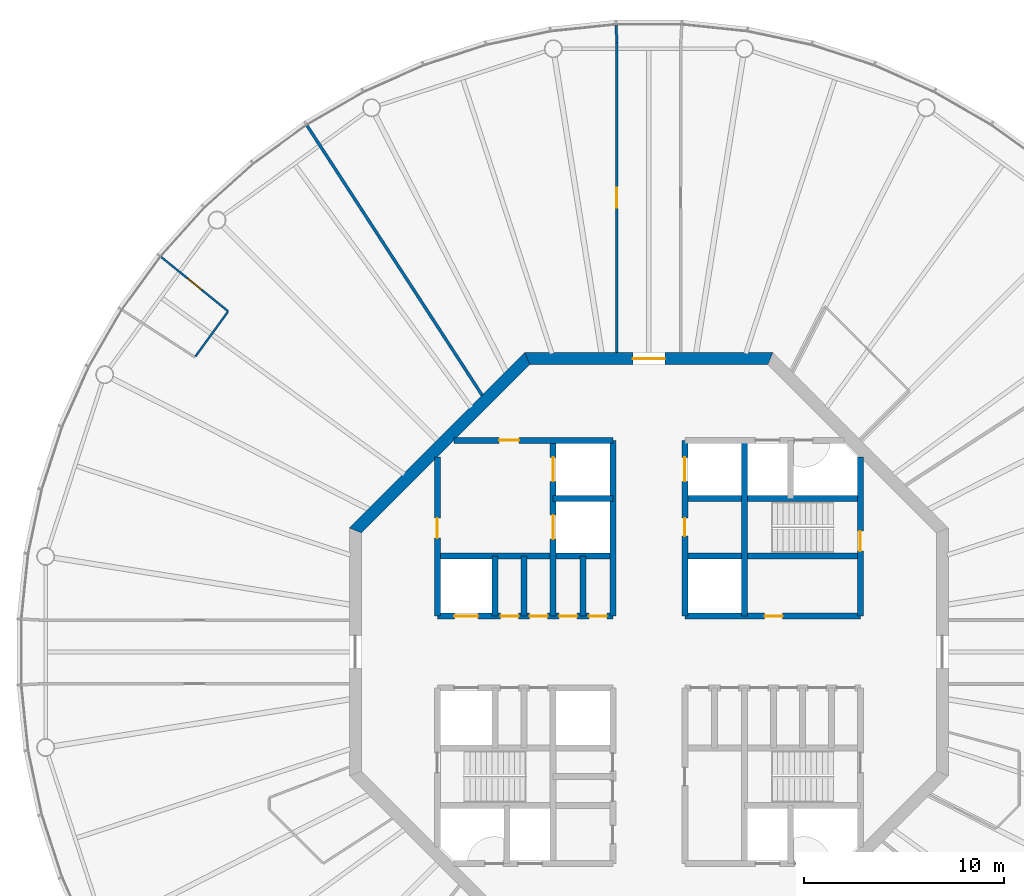
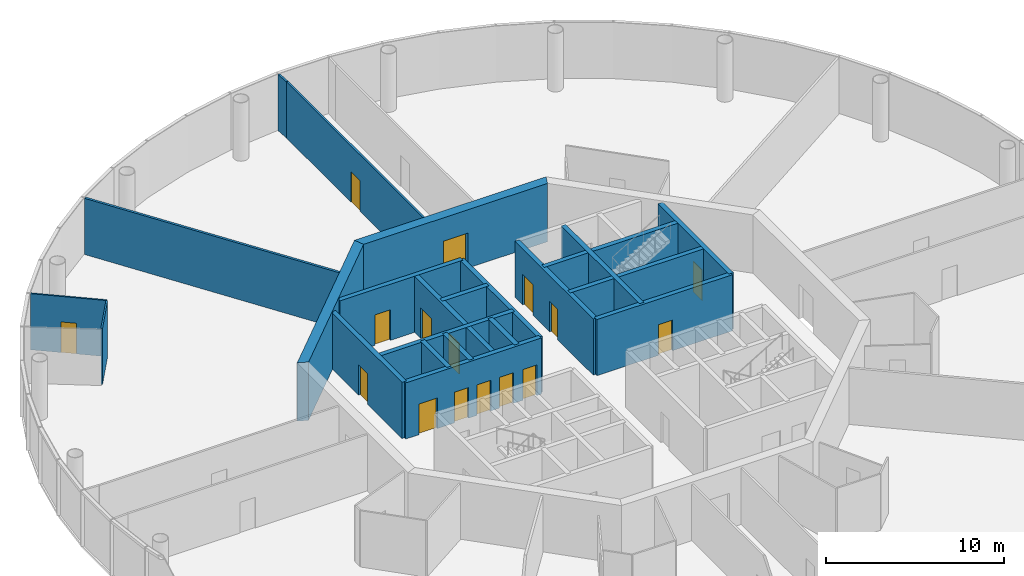
# One storey, part 5 of 13: 23 walls, 16 doors, 16 openings.
"""IFC4 building model written with IfcOpenShell, lengths in metres."""

import ifcopenshell
import ifcopenshell.guid

model = None  # the IFC model being written
_history = None  # IfcOwnerHistory: only IFC2X3 demands one
_inside = {}  # id of a spatial element -> (the spatial element, [elements in it])
_under = {}  # id of a project, library or spatial element -> (it, [spatial elements below it])
_declared = {}  # id of a project -> (the project, [libraries it declares])
_typed = {}  # id of a type object -> (the type object, [elements of that type])
_made_of = {}  # id of a material, layer set ... -> (it, [elements and type objects made of it])


def new_model(schema):
    """Start an empty IFC model of exactly this schema.

    Asked for "IFC4X3", IfcOpenShell would pick the latest addendum, in which some entities
    have other attributes; the version numbers below select the first issue.
    IFC2X3 requires an IfcOwnerHistory on every rooted entity: one is made here for all.
    """
    global model, _history
    if schema == "IFC4X3":
        model = ifcopenshell.file(schema_version=(4, 3, 0, 0))
    else:
        model = ifcopenshell.file(schema=schema)
    _inside.clear()
    _under.clear()
    _declared.clear()
    _typed.clear()
    _made_of.clear()
    _history = None
    if model.schema == "IFC2X3":
        org = make("IfcOrganization", Name="unknown")
        user = make(
            "IfcPersonAndOrganization",
            ThePerson=make("IfcPerson", FamilyName="unknown"),
            TheOrganization=org,
        )
        app = make(
            "IfcApplication",
            ApplicationDeveloper=org,
            Version="unknown",
            ApplicationFullName="unknown",
            ApplicationIdentifier="unknown",
        )
        _history = make(
            "IfcOwnerHistory",
            OwningUser=user,
            OwningApplication=app,
            ChangeAction="ADDED",
            CreationDate=0,
        )
    return model


def make(cls, **values):
    """One entity of the class cls with the attributes given. An attribute that is None is left unset."""
    return model.create_entity(
        cls, **{name: value for name, value in values.items() if value is not None}
    )


def rooted(cls, **values):
    """An entity with a GlobalId (a new one), such as an element, a storey or a relation."""
    return make(cls, GlobalId=ifcopenshell.guid.new(), OwnerHistory=_history, **values)


def si_unit(unit_type, name, prefix=None):
    """IfcSIUnit, for example si_unit("LENGTHUNIT", "METRE", prefix="MILLI")."""
    return make("IfcSIUnit", UnitType=unit_type, Prefix=prefix, Name=name)


def assignment(units):
    """IfcUnitAssignment: the units of a project."""
    return None if units is None else make("IfcUnitAssignment", Units=units)


def point(xyz):
    """IfcCartesianPoint."""
    return None if xyz is None else make("IfcCartesianPoint", Coordinates=xyz)


def direction(xyz):
    """IfcDirection."""
    return None if xyz is None else make("IfcDirection", DirectionRatios=xyz)


def frame(location, z_axis=None, x_axis=None):
    """IfcAxis2Placement3D, a coordinate frame: its origin and axes. An axis left out is left unset."""
    return make(
        "IfcAxis2Placement3D",
        Location=point(location),
        Axis=direction(z_axis),
        RefDirection=direction(x_axis),
    )


def frame_2d(location, x_axis=None):
    """IfcAxis2Placement2D, a coordinate frame in the plane: its origin and x axis."""
    return make(
        "IfcAxis2Placement2D", Location=point(location), RefDirection=direction(x_axis)
    )


def origin():
    """The frame at (0, 0, 0) with its axes left unset."""
    return frame((0.0, 0.0, 0.0))


def place(relative_to, where):
    """IfcLocalPlacement: puts the frame where relative to a parent placement (None: the world)."""
    return make(
        "IfcLocalPlacement", PlacementRelTo=relative_to, RelativePlacement=where
    )


def context(
    kind, dimensions, precision=None, world=None, true_north=None, identifier=None
):
    """IfcGeometricRepresentationContext, for example the 3D "Model" context."""
    return make(
        "IfcGeometricRepresentationContext",
        ContextIdentifier=identifier,
        ContextType=kind,
        CoordinateSpaceDimension=dimensions,
        Precision=precision,
        WorldCoordinateSystem=world,
        TrueNorth=true_north,
    )


def subcontext(parent, identifier, kind, view, scale=None):
    """IfcGeometricRepresentationSubContext, for example "Body" below "Model"."""
    return make(
        "IfcGeometricRepresentationSubContext",
        ContextIdentifier=identifier,
        ContextType=kind,
        ParentContext=parent,
        TargetScale=scale,
        TargetView=view,
    )


def project(units=None, contexts=None):
    """IfcProject with its units and contexts."""
    return rooted(
        "IfcProject",
        Name="project",
        RepresentationContexts=contexts,
        UnitsInContext=assignment(units),
    )


def spatial(cls, under=None, at=None, **own):
    """A site, building, storey or space (cls), placed at a placement, below another one or the project."""
    s = rooted(cls, ObjectPlacement=at, **own)
    if under is not None:
        _under.setdefault(under.id(), (under, []))[1].append(s)
    return s


def polyline(points):
    """IfcPolyline through the points."""
    return make("IfcPolyline", Points=[point(p) for p in points])


def profile(cls, at=None, kind="AREA", **sizes):
    """A parametric profile (cls). Its sizes go by their IFC names, for example OverallWidth=200.0."""
    return make(cls, ProfileType=kind, Position=at, **sizes)


def rectangle(**sizes):
    """IfcRectangleProfileDef."""
    return profile("IfcRectangleProfileDef", **sizes)


def outline(outer, holes=None, kind="AREA"):
    """IfcArbitraryClosedProfileDef: a profile drawn as a closed curve; with holes, ...WithVoids."""
    if holes is None:
        return make("IfcArbitraryClosedProfileDef", ProfileType=kind, OuterCurve=outer)
    return make(
        "IfcArbitraryProfileDefWithVoids",
        ProfileType=kind,
        OuterCurve=outer,
        InnerCurves=holes,
    )


def extrude(swept, where, along, depth):
    """IfcExtrudedAreaSolid: the profile swept, set in the frame where, extruded along a direction by depth."""
    return make(
        "IfcExtrudedAreaSolid",
        SweptArea=swept,
        Position=where,
        ExtrudedDirection=direction(along),
        Depth=depth,
    )


def shape(context_of_items, identifier, shape_type, items):
    """IfcShapeRepresentation: the items that make up one representation, for example the "Body"."""
    return make(
        "IfcShapeRepresentation",
        ContextOfItems=context_of_items,
        RepresentationIdentifier=identifier,
        RepresentationType=shape_type,
        Items=items,
    )


def material(Name=None, Category=None):
    """IfcMaterial."""
    return make("IfcMaterial", Name=Name, Category=Category)


def layer(
    of_material, thickness, ventilated=None, Name=None, Category=None, Priority=None
):
    """IfcMaterialLayer: one layer of a wall or slab, of a material (None: an air gap)."""
    return make(
        "IfcMaterialLayer",
        Material=of_material,
        LayerThickness=thickness,
        IsVentilated=ventilated,
        Name=Name,
        Category=Category,
        Priority=Priority,
    )


def layer_set(layers, Name=None):
    """IfcMaterialLayerSet."""
    return make("IfcMaterialLayerSet", MaterialLayers=layers, LayerSetName=Name)


def made_of(thing, what):
    """Note that an element or type object is made of a material, layer set ...; save() writes the relation."""
    if what is not None:
        _made_of.setdefault(what.id(), (what, []))[1].append(thing)
    return thing


def type_object(cls, material=None, **own):
    """A type object (cls), such as IfcWallType, which elements share."""
    return made_of(rooted(cls, **own), material)


def element(
    cls,
    number,
    at=None,
    inside=None,
    cuts=None,
    type_object=None,
    material=None,
    context=None,
    identifier="Body",
    shape_type=None,
    held_by="IfcProductDefinitionShape",
    body=None,
    shapes=None,
    **own,
):
    """One element of the class cls, such as IfcWall. Its Tag is "e" and its number.

    at: its placement. inside: the storey or other place that contains it. cuts: it is an
    opening in that element (IfcRelVoidsElement). A single representation is given by context,
    identifier, shape_type and body (its items); several are given by shapes. held_by: the class
    of the entity that holds the representations. save() writes the other relations.
    """
    e = rooted(cls, Tag="e%d" % number, ObjectPlacement=at, **own)
    if body is not None:
        shapes = [shape(context, identifier, shape_type, body)]
    if shapes is not None:
        e.Representation = make(held_by, Representations=shapes)
    if inside is not None:
        _inside.setdefault(inside.id(), (inside, []))[1].append(e)
    if cuts is not None:
        rooted(
            "IfcRelVoidsElement", RelatingBuildingElement=cuts, RelatedOpeningElement=e
        )
    if type_object is not None:
        _typed.setdefault(type_object.id(), (type_object, []))[1].append(e)
    return made_of(e, material)


def fill(opening, filler):
    """IfcRelFillsElement: the door or window that sits in an opening."""
    return rooted(
        "IfcRelFillsElement",
        RelatingOpeningElement=opening,
        RelatedBuildingElement=filler,
    )


def aggregate(whole, parts):
    """IfcRelAggregates: a whole, such as a stair, and the parts it consists of."""
    return rooted("IfcRelAggregates", RelatingObject=whole, RelatedObjects=parts)


def save(model, path):
    """Write the relations noted so far, then the file.

    IfcRelAggregates (storeys below a building ...), IfcRelContainedInSpatialStructure (elements
    in a storey), IfcRelDefinesByType, IfcRelAssociatesMaterial and IfcRelDeclares: one each for
    every whole, place, type object, material and project.
    """
    for whole, parts in _under.values():
        aggregate(whole, parts)
    for where, things in _inside.values():
        rooted(
            "IfcRelContainedInSpatialStructure",
            RelatedElements=things,
            RelatingStructure=where,
        )
    for kind, things in _typed.values():
        rooted("IfcRelDefinesByType", RelatedObjects=things, RelatingType=kind)
    for what, things in _made_of.values():
        rooted("IfcRelAssociatesMaterial", RelatedObjects=things, RelatingMaterial=what)
    for by, libraries in _declared.values():
        rooted("IfcRelDeclares", RelatingContext=by, RelatedDefinitions=libraries)
    model.write(path)


model = new_model("IFC4")

# Units and contexts
model_context = context("Model", 3, precision=1e-05, world=origin(), true_north=direction((0.0, 1.0)))
body_context = subcontext(model_context, "Body", "Model", "MODEL_VIEW")
ifc_project = project(units=[si_unit("LENGTHUNIT", "METRE"), si_unit("AREAUNIT", "SQUARE_METRE"), si_unit("VOLUMEUNIT", "CUBIC_METRE"), si_unit("PLANEANGLEUNIT", "RADIAN"), si_unit("MASSUNIT", "GRAM", prefix="KILO")], contexts=[model_context])

# Site, building, storey
site_placement = place(None, origin())
site = spatial("IfcSite", under=ifc_project, at=site_placement, CompositionType="ELEMENT")
building_placement = place(site_placement, origin())
building = spatial("IfcBuilding", under=site, at=building_placement, Name="Entoto Ring Tower", CompositionType="ELEMENT")
storey_placement = place(building_placement, frame((0.0, 0.0, 364.0)))
storey = spatial("IfcBuildingStorey", under=building, at=storey_placement, Name="L84", CompositionType="ELEMENT", Elevation=364.0)

# Wall, opening, door
ifc_material_1 = material(Name="Concrete C40/50", Category="concrete")
ifc_layer_1 = layer(ifc_material_1, 0.300048828125)
ifc_layer_set_1 = layer_set([ifc_layer_1], Name="Concrete C40/50")
wall_type_1 = type_object("IfcWallType", Name="Core enclosure wall 300 mm reinforced concrete", PredefinedType="SOLIDWALL", material=ifc_layer_set_1)
wall_1_placement = place(storey_placement, frame((100.60009765625, 81.800048828125, 0.0), z_axis=(0.0, 0.0, 1.0), x_axis=(0.0, 1.0, 0.0)))
wall_1 = element("IfcWall", 1, at=wall_1_placement, inside=storey, type_object=wall_type_1, Name="wall-L84-002", PredefinedType="SOLIDWALL", context=body_context, shape_type="SweptSolid", body=[
    extrude(rectangle(XDim=7.964599609375, YDim=0.300048828125, at=frame_2d((3.982421875, 0.0))), origin(), (0.0, 0.0, 1.0), 3.85009765625),
])
opening_1_placement = place(wall_1_placement, frame((3.25, 0.0, 0.0)))
opening_1 = element("IfcOpeningElement", 2, at=opening_1_placement, cuts=wall_1, Name="Opening K-29", PredefinedType="OPENING", context=body_context, shape_type="SweptSolid", body=[
    extrude(rectangle(XDim=1.0, YDim=2.10009765625, at=frame_2d((0.5, 1.050048828125))), frame((0.0, 0.16015625, 0.0), z_axis=(0.0, -1.0, 0.0), x_axis=(1.0, 0.0, 0.0)), (0.0, 0.0, 1.0), 0.320068359375),
])
ifc_material_2 = material(Name="Steel door leaf, fire rated", Category="steel")
ifc_layer_2 = layer(ifc_material_2, 0.050048828125)
ifc_layer_set_2 = layer_set([ifc_layer_2], Name="Steel door leaf, fire rated")
door_type_1 = type_object("IfcDoorType", Name="Fire door FD60 1000 x 2100 single leaf", OperationType="NOTDEFINED", PredefinedType="DOOR", material=ifc_layer_set_2)
door_1_placement = place(opening_1_placement, origin())
door_1 = element("IfcDoor", 3, at=door_1_placement, inside=storey, type_object=door_type_1, Name="Door K-29", OperationType="SINGLE_SWING_LEFT", OverallHeight=2.10009765625, OverallWidth=1.0, PredefinedType="DOOR", context=body_context, shape_type="SweptSolid", body=[
    extrude(rectangle(XDim=1.0, YDim=2.10009765625, at=frame_2d((0.5, 1.050048828125))), frame((0.0, 0.02490234375, 0.0), z_axis=(0.0, -1.0, 0.0), x_axis=(1.0, 0.0, 0.0)), (0.0, 0.0, 1.0), 0.050048828125),
])
fill(opening_1, door_1)

# Wall
wall_2_placement = place(storey_placement, frame((94.800048828125, 81.800048828125, 0.0), z_axis=(0.0, 0.0, 1.0), x_axis=(0.0, 1.0, 0.0)))
element("IfcWall", 4, at=wall_2_placement, inside=storey, type_object=wall_type_1, Name="wall-L84-009", PredefinedType="SOLIDWALL", context=body_context, shape_type="SweptSolid", body=[
    extrude(rectangle(XDim=8.800048828125, YDim=0.300048828125, at=frame_2d((4.39990234375, 0.0))), origin(), (0.0, 0.0, 1.0), 3.85009765625),
])

# Wall, openings, doors
wall_3_placement = place(storey_placement, frame((91.800048828125, 81.800048828125, 0.0), z_axis=(0.0, 0.0, 1.0), x_axis=(0.0, 1.0, 0.0)))
wall_3 = element("IfcWall", 5, at=wall_3_placement, inside=storey, type_object=wall_type_1, Name="wall-L84-012", PredefinedType="SOLIDWALL", context=body_context, shape_type="SweptSolid", body=[
    extrude(rectangle(XDim=8.800048828125, YDim=0.300048828125, at=frame_2d((4.39990234375, 0.0))), origin(), (0.0, 0.0, 1.0), 3.85009765625),
])
opening_2_placement = place(wall_3_placement, frame((6.75, 0.0, 0.0)))
opening_2 = element("IfcOpeningElement", 6, at=opening_2_placement, cuts=wall_3, Name="Opening LD", PredefinedType="OPENING", context=body_context, shape_type="SweptSolid", body=[
    extrude(rectangle(XDim=1.199951171875, YDim=2.10009765625, at=frame_2d((0.60009765625, 1.050048828125))), frame((0.0, 0.16015625, 0.0), z_axis=(0.0, -1.0, 0.0), x_axis=(1.0, 0.0, 0.0)), (0.0, 0.0, 1.0), 0.320068359375),
])
opening_3_placement = place(wall_3_placement, frame((4.0, 0.0, 0.0)))
opening_3 = element("IfcOpeningElement", 7, at=opening_3_placement, cuts=wall_3, Name="Opening K-63", PredefinedType="OPENING", context=body_context, shape_type="SweptSolid", body=[
    extrude(rectangle(XDim=0.89990234375, YDim=2.10009765625, at=frame_2d((0.449951171875, 1.050048828125))), frame((0.0, 0.16015625, 0.0), z_axis=(0.0, -1.0, 0.0), x_axis=(1.0, 0.0, 0.0)), (0.0, 0.0, 1.0), 0.320068359375),
])
ifc_material_3 = material(Name="Steel door leaf, fire rated", Category="steel")
ifc_layer_3 = layer(ifc_material_3, 0.050048828125)
ifc_layer_set_3 = layer_set([ifc_layer_3], Name="Steel door leaf, fire rated")
door_type_2 = type_object("IfcDoorType", Name="Core door 900 x 2100 single leaf", OperationType="NOTDEFINED", PredefinedType="DOOR", material=ifc_layer_set_3)
door_2_placement = place(opening_3_placement, frame((0.89990234375, 0.0, 0.0), z_axis=(0.0, 0.0, 1.0), x_axis=(-1.0, 0.0, 0.0)))
door_2 = element("IfcDoor", 8, at=door_2_placement, inside=storey, type_object=door_type_2, Name="Door K-63", OperationType="SINGLE_SWING_RIGHT", OverallHeight=2.10009765625, OverallWidth=0.89990234375, PredefinedType="DOOR", context=body_context, shape_type="SweptSolid", body=[
    extrude(rectangle(XDim=0.89990234375, YDim=2.10009765625, at=frame_2d((0.449951171875, 1.050048828125))), frame((0.0, 0.02490234375, 0.0), z_axis=(0.0, -1.0, 0.0), x_axis=(1.0, 0.0, 0.0)), (0.0, 0.0, 1.0), 0.050048828125),
])
fill(opening_3, door_2)
ifc_material_4 = material(Name="Steel and glass door leaf", Category="steel")
ifc_layer_4 = layer(ifc_material_4, 0.050048828125)
ifc_layer_set_4 = layer_set([ifc_layer_4], Name="Steel and glass door leaf")
door_type_3 = type_object("IfcDoorType", Name="Landing door 1200 x 2100 sliding", OperationType="DOUBLE_DOOR_SLIDING", PredefinedType="DOOR", material=ifc_layer_set_4)
door_3_placement = place(opening_2_placement, origin())
door_3 = element("IfcDoor", 9, at=door_3_placement, inside=storey, type_object=door_type_3, Name="Landing door SH3", OperationType="SLIDING_TO_RIGHT", OverallHeight=2.10009765625, OverallWidth=1.199951171875, PredefinedType="DOOR", context=body_context, shape_type="SweptSolid", body=[
    extrude(rectangle(XDim=1.199951171875, YDim=2.10009765625, at=frame_2d((0.60009765625, 1.050048828125))), frame((0.0, 0.02490234375, 0.0), z_axis=(0.0, -1.0, 0.0), x_axis=(1.0, 0.0, 0.0)), (0.0, 0.0, 1.0), 0.050048828125),
])
fill(opening_2, door_3)

# Walls
wall_4_placement = place(storey_placement, frame((88.199951171875, 81.800048828125, 0.0), z_axis=(0.0, 0.0, 1.0), x_axis=(0.0, 1.0, 0.0)))
element("IfcWall", 10, at=wall_4_placement, inside=storey, type_object=wall_type_1, Name="wall-L84-014", PredefinedType="SOLIDWALL", context=body_context, shape_type="SweptSolid", body=[
    extrude(rectangle(XDim=8.800048828125, YDim=0.300048828125, at=frame_2d((4.39990234375, 0.0))), origin(), (0.0, 0.0, 1.0), 3.85009765625),
])
wall_5_placement = place(storey_placement, frame((86.699951171875, 81.800048828125, 0.0), z_axis=(0.0, 0.0, 1.0), x_axis=(0.0, 1.0, 0.0)))
element("IfcWall", 11, at=wall_5_placement, inside=storey, type_object=wall_type_1, Name="wall-L84-015", PredefinedType="SOLIDWALL", context=body_context, shape_type="SweptSolid", body=[
    extrude(rectangle(XDim=3.0, YDim=0.300048828125, at=frame_2d((1.5, 0.0))), origin(), (0.0, 0.0, 1.0), 3.85009765625),
])

# Wall, openings, doors
wall_6_placement = place(storey_placement, frame((85.199951171875, 81.800048828125, 0.0), z_axis=(0.0, 0.0, 1.0), x_axis=(0.0, 1.0, 0.0)))
wall_6 = element("IfcWall", 12, at=wall_6_placement, inside=storey, type_object=wall_type_1, Name="wall-L84-017", PredefinedType="SOLIDWALL", context=body_context, shape_type="SweptSolid", body=[
    extrude(rectangle(XDim=8.800048828125, YDim=0.300048828125, at=frame_2d((4.39990234375, 0.0))), origin(), (0.0, 0.0, 1.0), 3.85009765625),
])
opening_4_placement = place(wall_6_placement, frame((3.85009765625, 0.0, 0.0)))
opening_4 = element("IfcOpeningElement", 13, at=opening_4_placement, cuts=wall_6, Name="Opening LD", PredefinedType="OPENING", context=body_context, shape_type="SweptSolid", body=[
    extrude(rectangle(XDim=1.199951171875, YDim=2.10009765625, at=frame_2d((0.60009765625, 1.050048828125))), frame((0.0, 0.16015625, 0.0), z_axis=(0.0, -1.0, 0.0), x_axis=(1.0, 0.0, 0.0)), (0.0, 0.0, 1.0), 0.320068359375),
])
opening_5_placement = place(wall_6_placement, frame((6.75, 0.0, 0.0)))
opening_5 = element("IfcOpeningElement", 14, at=opening_5_placement, cuts=wall_6, Name="Opening LD", PredefinedType="OPENING", context=body_context, shape_type="SweptSolid", body=[
    extrude(rectangle(XDim=1.199951171875, YDim=2.10009765625, at=frame_2d((0.60009765625, 1.050048828125))), frame((0.0, 0.16015625, 0.0), z_axis=(0.0, -1.0, 0.0), x_axis=(1.0, 0.0, 0.0)), (0.0, 0.0, 1.0), 0.320068359375),
])
door_4_placement = place(opening_4_placement, origin())
door_4 = element("IfcDoor", 15, at=door_4_placement, inside=storey, type_object=door_type_3, Name="Landing door FF1", OperationType="SLIDING_TO_RIGHT", OverallHeight=2.10009765625, OverallWidth=1.199951171875, PredefinedType="DOOR", context=body_context, shape_type="SweptSolid", body=[
    extrude(rectangle(XDim=1.199951171875, YDim=2.10009765625, at=frame_2d((0.60009765625, 1.050048828125))), frame((0.0, 0.02490234375, 0.0), z_axis=(0.0, -1.0, 0.0), x_axis=(1.0, 0.0, 0.0)), (0.0, 0.0, 1.0), 0.050048828125),
])
fill(opening_4, door_4)
door_5_placement = place(opening_5_placement, origin())
door_5 = element("IfcDoor", 16, at=door_5_placement, inside=storey, type_object=door_type_3, Name="Landing door FF2", OperationType="SLIDING_TO_RIGHT", OverallHeight=2.10009765625, OverallWidth=1.199951171875, PredefinedType="DOOR", context=body_context, shape_type="SweptSolid", body=[
    extrude(rectangle(XDim=1.199951171875, YDim=2.10009765625, at=frame_2d((0.60009765625, 1.050048828125))), frame((0.0, 0.02490234375, 0.0), z_axis=(0.0, -1.0, 0.0), x_axis=(1.0, 0.0, 0.0)), (0.0, 0.0, 1.0), 0.050048828125),
])
fill(opening_5, door_5)

# Walls
for number, where, z_axis, x_axis, name in (
    (17, (83.75, 81.800048828125, 0.0), (0.0, 0.0, 1.0), (0.0, 1.0, 0.0), "wall-L84-019"),
    (18, (82.300048828125, 81.800048828125, 0.0), (0.0, 0.0, 1.0), (0.0, 1.0, 0.0), "wall-L84-022"),
):
    element("IfcWall", number, at=place(storey_placement, frame(where, z_axis=z_axis, x_axis=x_axis)), inside=storey, type_object=wall_type_1, Name=name, PredefinedType="SOLIDWALL", context=body_context, shape_type="SweptSolid", body=[
        extrude(rectangle(XDim=3.0, YDim=0.300048828125, at=frame_2d((1.5, 0.0))), origin(), (0.0, 0.0, 1.0), 3.85009765625),
    ])

# Wall, opening, door
wall_7_placement = place(storey_placement, frame((79.39990234375, 81.800048828125, 0.0), z_axis=(0.0, 0.0, 1.0), x_axis=(0.0, 1.0, 0.0)))
wall_7 = element("IfcWall", 19, at=wall_7_placement, inside=storey, type_object=wall_type_1, Name="wall-L84-024", PredefinedType="SOLIDWALL", context=body_context, shape_type="SweptSolid", body=[
    extrude(rectangle(XDim=7.964599609375, YDim=0.300048828125, at=frame_2d((3.982421875, 0.0))), origin(), (0.0, 0.0, 1.0), 3.85009765625),
])
opening_6_placement = place(wall_7_placement, frame((3.89990234375, 0.0, 0.0)))
opening_6 = element("IfcOpeningElement", 20, at=opening_6_placement, cuts=wall_7, Name="Opening K-35", PredefinedType="OPENING", context=body_context, shape_type="SweptSolid", body=[
    extrude(rectangle(XDim=1.0, YDim=2.10009765625, at=frame_2d((0.5, 1.050048828125))), frame((0.0, 0.16015625, 0.0), z_axis=(0.0, -1.0, 0.0), x_axis=(1.0, 0.0, 0.0)), (0.0, 0.0, 1.0), 0.320068359375),
])
door_6_placement = place(opening_6_placement, frame((1.0, 0.0, 0.0), z_axis=(0.0, 0.0, 1.0), x_axis=(-1.0, 0.0, 0.0)))
door_6 = element("IfcDoor", 21, at=door_6_placement, inside=storey, type_object=door_type_1, Name="Door K-35", OperationType="SINGLE_SWING_RIGHT", OverallHeight=2.10009765625, OverallWidth=1.0, PredefinedType="DOOR", context=body_context, shape_type="SweptSolid", body=[
    extrude(rectangle(XDim=1.0, YDim=2.10009765625, at=frame_2d((0.5, 1.050048828125))), frame((0.0, 0.02490234375, 0.0), z_axis=(0.0, -1.0, 0.0), x_axis=(1.0, 0.0, 0.0)), (0.0, 0.0, 1.0), 0.050048828125),
])
fill(opening_6, door_6)

# Wall, openings, doors
wall_8_placement = place(storey_placement, frame((79.39990234375, 81.800048828125, 0.0), z_axis=(0.0, 0.0, 1.0), x_axis=(1.0, 0.0, 0.0)))
wall_8 = element("IfcWall", 22, at=wall_8_placement, inside=storey, type_object=wall_type_1, Name="wall-L84-034", PredefinedType="SOLIDWALL", context=body_context, shape_type="SweptSolid", body=[
    extrude(rectangle(XDim=8.800048828125, YDim=0.300048828125, at=frame_2d((4.39990234375, 0.0))), origin(), (0.0, 0.0, 1.0), 3.85009765625),
])
opening_7_placement = place(wall_8_placement, frame((0.85009765625, 0.0, 0.0)))
opening_7 = element("IfcOpeningElement", 23, at=opening_7_placement, cuts=wall_8, Name="Opening LD", PredefinedType="OPENING", context=body_context, shape_type="SweptSolid", body=[
    extrude(rectangle(XDim=1.199951171875, YDim=2.10009765625, at=frame_2d((0.60009765625, 1.050048828125))), frame((0.0, 0.16015625, 0.0), z_axis=(0.0, -1.0, 0.0), x_axis=(1.0, 0.0, 0.0)), (0.0, 0.0, 1.0), 0.320068359375),
])
opening_8_placement = place(wall_8_placement, frame((3.175048828125, 0.0, 0.0)))
opening_8 = element("IfcOpeningElement", 24, at=opening_8_placement, cuts=wall_8, Name="Opening K-12", PredefinedType="OPENING", context=body_context, shape_type="SweptSolid", body=[
    extrude(rectangle(XDim=0.89990234375, YDim=2.10009765625, at=frame_2d((0.449951171875, 1.050048828125))), frame((0.0, 0.16015625, 0.0), z_axis=(0.0, -1.0, 0.0), x_axis=(1.0, 0.0, 0.0)), (0.0, 0.0, 1.0), 0.320068359375),
])
opening_9_placement = place(wall_8_placement, frame((4.625, 0.0, 0.0)))
opening_9 = element("IfcOpeningElement", 25, at=opening_9_placement, cuts=wall_8, Name="Opening K-46", PredefinedType="OPENING", context=body_context, shape_type="SweptSolid", body=[
    extrude(rectangle(XDim=0.89990234375, YDim=2.10009765625, at=frame_2d((0.449951171875, 1.050048828125))), frame((0.0, 0.16015625, 0.0), z_axis=(0.0, -1.0, 0.0), x_axis=(1.0, 0.0, 0.0)), (0.0, 0.0, 1.0), 0.320068359375),
])
opening_10_placement = place(wall_8_placement, frame((6.10009765625, 0.0, 0.0)))
opening_10 = element("IfcOpeningElement", 26, at=opening_10_placement, cuts=wall_8, Name="Opening K-25", PredefinedType="OPENING", context=body_context, shape_type="SweptSolid", body=[
    extrude(rectangle(XDim=0.89990234375, YDim=2.10009765625, at=frame_2d((0.449951171875, 1.050048828125))), frame((0.0, 0.16015625, 0.0), z_axis=(0.0, -1.0, 0.0), x_axis=(1.0, 0.0, 0.0)), (0.0, 0.0, 1.0), 0.320068359375),
])
opening_11_placement = place(wall_8_placement, frame((7.60009765625, 0.0, 0.0)))
opening_11 = element("IfcOpeningElement", 27, at=opening_11_placement, cuts=wall_8, Name="Opening K-77", PredefinedType="OPENING", context=body_context, shape_type="SweptSolid", body=[
    extrude(rectangle(XDim=0.89990234375, YDim=2.10009765625, at=frame_2d((0.449951171875, 1.050048828125))), frame((0.0, 0.16015625, 0.0), z_axis=(0.0, -1.0, 0.0), x_axis=(1.0, 0.0, 0.0)), (0.0, 0.0, 1.0), 0.320068359375),
])
door_7_placement = place(opening_8_placement, origin())
door_7 = element("IfcDoor", 28, at=door_7_placement, inside=storey, type_object=door_type_2, Name="Door K-12", OperationType="SINGLE_SWING_RIGHT", OverallHeight=2.10009765625, OverallWidth=0.89990234375, PredefinedType="DOOR", context=body_context, shape_type="SweptSolid", body=[
    extrude(rectangle(XDim=0.89990234375, YDim=2.10009765625, at=frame_2d((0.449951171875, 1.050048828125))), frame((0.0, 0.02490234375, 0.0), z_axis=(0.0, -1.0, 0.0), x_axis=(1.0, 0.0, 0.0)), (0.0, 0.0, 1.0), 0.050048828125),
])
fill(opening_8, door_7)
door_8_placement = place(opening_9_placement, origin())
door_8 = element("IfcDoor", 29, at=door_8_placement, inside=storey, type_object=door_type_2, Name="Door K-46", OperationType="SINGLE_SWING_RIGHT", OverallHeight=2.10009765625, OverallWidth=0.89990234375, PredefinedType="DOOR", context=body_context, shape_type="SweptSolid", body=[
    extrude(rectangle(XDim=0.89990234375, YDim=2.10009765625, at=frame_2d((0.449951171875, 1.050048828125))), frame((0.0, 0.02490234375, 0.0), z_axis=(0.0, -1.0, 0.0), x_axis=(1.0, 0.0, 0.0)), (0.0, 0.0, 1.0), 0.050048828125),
])
fill(opening_9, door_8)
door_9_placement = place(opening_10_placement, origin())
door_9 = element("IfcDoor", 30, at=door_9_placement, inside=storey, type_object=door_type_2, Name="Door K-25", OperationType="SINGLE_SWING_LEFT", OverallHeight=2.10009765625, OverallWidth=0.89990234375, PredefinedType="DOOR", context=body_context, shape_type="SweptSolid", body=[
    extrude(rectangle(XDim=0.89990234375, YDim=2.10009765625, at=frame_2d((0.449951171875, 1.050048828125))), frame((0.0, 0.02490234375, 0.0), z_axis=(0.0, -1.0, 0.0), x_axis=(1.0, 0.0, 0.0)), (0.0, 0.0, 1.0), 0.050048828125),
])
fill(opening_10, door_9)
door_10_placement = place(opening_11_placement, origin())
door_10 = element("IfcDoor", 31, at=door_10_placement, inside=storey, type_object=door_type_2, Name="Door K-77", OperationType="SINGLE_SWING_LEFT", OverallHeight=2.10009765625, OverallWidth=0.89990234375, PredefinedType="DOOR", context=body_context, shape_type="SweptSolid", body=[
    extrude(rectangle(XDim=0.89990234375, YDim=2.10009765625, at=frame_2d((0.449951171875, 1.050048828125))), frame((0.0, 0.02490234375, 0.0), z_axis=(0.0, -1.0, 0.0), x_axis=(1.0, 0.0, 0.0)), (0.0, 0.0, 1.0), 0.050048828125),
])
fill(opening_11, door_10)
door_11_placement = place(opening_7_placement, origin())
door_11 = element("IfcDoor", 32, at=door_11_placement, inside=storey, type_object=door_type_3, Name="Landing door SH1", OperationType="SLIDING_TO_RIGHT", OverallHeight=2.10009765625, OverallWidth=1.199951171875, PredefinedType="DOOR", context=body_context, shape_type="SweptSolid", body=[
    extrude(rectangle(XDim=1.199951171875, YDim=2.10009765625, at=frame_2d((0.60009765625, 1.050048828125))), frame((0.0, 0.02490234375, 0.0), z_axis=(0.0, -1.0, 0.0), x_axis=(1.0, 0.0, 0.0)), (0.0, 0.0, 1.0), 0.050048828125),
])
fill(opening_7, door_11)

# Wall, opening, door
wall_9_placement = place(storey_placement, frame((91.800048828125, 81.800048828125, 0.0), z_axis=(0.0, 0.0, 1.0), x_axis=(1.0, 0.0, 0.0)))
wall_9 = element("IfcWall", 33, at=wall_9_placement, inside=storey, type_object=wall_type_1, Name="wall-L84-035", PredefinedType="SOLIDWALL", context=body_context, shape_type="SweptSolid", body=[
    extrude(rectangle(XDim=8.800048828125, YDim=0.300048828125, at=frame_2d((4.39990234375, 0.0))), origin(), (0.0, 0.0, 1.0), 3.85009765625),
])
opening_12_placement = place(wall_9_placement, frame((4.0, 0.0, 0.0)))
opening_12 = element("IfcOpeningElement", 34, at=opening_12_placement, cuts=wall_9, Name="Opening K-11", PredefinedType="OPENING", context=body_context, shape_type="SweptSolid", body=[
    extrude(rectangle(XDim=0.89990234375, YDim=2.10009765625, at=frame_2d((0.449951171875, 1.050048828125))), frame((0.0, 0.16015625, 0.0), z_axis=(0.0, -1.0, 0.0), x_axis=(1.0, 0.0, 0.0)), (0.0, 0.0, 1.0), 0.320068359375),
])
door_12_placement = place(opening_12_placement, origin())
door_12 = element("IfcDoor", 35, at=door_12_placement, inside=storey, type_object=door_type_2, Name="Door K-11", OperationType="SINGLE_SWING_LEFT", OverallHeight=2.10009765625, OverallWidth=0.89990234375, PredefinedType="DOOR", context=body_context, shape_type="SweptSolid", body=[
    extrude(rectangle(XDim=0.89990234375, YDim=2.10009765625, at=frame_2d((0.449951171875, 1.050048828125))), frame((0.0, 0.02490234375, 0.0), z_axis=(0.0, -1.0, 0.0), x_axis=(1.0, 0.0, 0.0)), (0.0, 0.0, 1.0), 0.050048828125),
])
fill(opening_12, door_12)

# Walls
for number, where, z_axis, x_axis, name in (
    (36, (79.39990234375, 84.800048828125, 0.0), (0.0, 0.0, 1.0), (1.0, 0.0, 0.0), "wall-L84-036"),
    (37, (91.800048828125, 84.800048828125, 0.0), (0.0, 0.0, 1.0), (1.0, 0.0, 0.0), "wall-L84-037"),
):
    element("IfcWall", number, at=place(storey_placement, frame(where, z_axis=z_axis, x_axis=x_axis)), inside=storey, type_object=wall_type_1, Name=name, PredefinedType="SOLIDWALL", context=body_context, shape_type="SweptSolid", body=[
        extrude(rectangle(XDim=8.800048828125, YDim=0.300048828125, at=frame_2d((4.39990234375, 0.0))), origin(), (0.0, 0.0, 1.0), 3.85009765625),
    ])
wall_10_placement = place(storey_placement, frame((85.199951171875, 87.699951171875, 0.0), z_axis=(0.0, 0.0, 1.0), x_axis=(1.0, 0.0, 0.0)))
element("IfcWall", 38, at=wall_10_placement, inside=storey, type_object=wall_type_1, Name="wall-L84-038", PredefinedType="SOLIDWALL", context=body_context, shape_type="SweptSolid", body=[
    extrude(rectangle(XDim=3.0, YDim=0.300048828125, at=frame_2d((1.5, 0.0))), origin(), (0.0, 0.0, 1.0), 3.85009765625),
])
wall_11_placement = place(storey_placement, frame((91.800048828125, 87.699951171875, 0.0), z_axis=(0.0, 0.0, 1.0), x_axis=(1.0, 0.0, 0.0)))
element("IfcWall", 39, at=wall_11_placement, inside=storey, type_object=wall_type_1, Name="wall-L84-039", PredefinedType="SOLIDWALL", context=body_context, shape_type="SweptSolid", body=[
    extrude(rectangle(XDim=8.800048828125, YDim=0.300048828125, at=frame_2d((4.39990234375, 0.0))), origin(), (0.0, 0.0, 1.0), 3.85009765625),
])

# Wall, opening, door
wall_12_placement = place(storey_placement, frame((80.2353515625, 90.60009765625, 0.0), z_axis=(0.0, 0.0, 1.0), x_axis=(1.0, 0.0, 0.0)))
wall_12 = element("IfcWall", 40, at=wall_12_placement, inside=storey, type_object=wall_type_1, Name="wall-L84-040", PredefinedType="SOLIDWALL", context=body_context, shape_type="SweptSolid", body=[
    extrude(rectangle(XDim=7.964599609375, YDim=0.300048828125, at=frame_2d((3.982421875, 0.0))), origin(), (0.0, 0.0, 1.0), 3.85009765625),
])
opening_13_placement = place(wall_12_placement, frame((2.2646484375, 0.0, 0.0)))
opening_13 = element("IfcOpeningElement", 41, at=opening_13_placement, cuts=wall_12, Name="Opening K-36", PredefinedType="OPENING", context=body_context, shape_type="SweptSolid", body=[
    extrude(rectangle(XDim=1.0, YDim=2.10009765625, at=frame_2d((0.5, 1.050048828125))), frame((0.0, 0.16015625, 0.0), z_axis=(0.0, -1.0, 0.0), x_axis=(1.0, 0.0, 0.0)), (0.0, 0.0, 1.0), 0.320068359375),
])
door_13_placement = place(opening_13_placement, frame((1.0, 0.0, 0.0), z_axis=(0.0, 0.0, 1.0), x_axis=(-1.0, 0.0, 0.0)))
door_13 = element("IfcDoor", 42, at=door_13_placement, inside=storey, type_object=door_type_1, Name="Door K-36", OperationType="SINGLE_SWING_LEFT", OverallHeight=2.10009765625, OverallWidth=1.0, PredefinedType="DOOR", context=body_context, shape_type="SweptSolid", body=[
    extrude(rectangle(XDim=1.0, YDim=2.10009765625, at=frame_2d((0.5, 1.050048828125))), frame((0.0, 0.02490234375, 0.0), z_axis=(0.0, -1.0, 0.0), x_axis=(1.0, 0.0, 0.0)), (0.0, 0.0, 1.0), 0.050048828125),
])
fill(opening_13, door_13)

ifc_material_5 = material(Name="Concrete C40/50", Category="concrete")
ifc_layer_5 = layer(ifc_material_5, 0.60009765625)
ifc_layer_set_5 = layer_set([ifc_layer_5], Name="Concrete C40/50")
wall_type_2 = type_object("IfcWallType", Name="Core shear wall 600 mm reinforced concrete C40/50", PredefinedType="SHEAR", material=ifc_layer_set_5)
wall_13_placement = place(storey_placement, frame((96.0888671875, 94.699951171875, 0.0), z_axis=(0.0, 0.0, 1.0), x_axis=(-1.0, 0.0, 0.0)))
wall_13 = element("IfcWall", 43, at=wall_13_placement, inside=storey, type_object=wall_type_2, Name="wall-L84-core-2", PredefinedType="SHEAR", context=body_context, shape_type="SweptSolid", body=[
    extrude(outline(polyline([(-0.124267578125, -0.300048828125), (12.302001953125, -0.300048828125), (12.053466796875, 0.300048828125), (0.124267578125, 0.300048828125), (-0.124267578125, -0.300048828125)])), origin(), (0.0, 0.0, 1.0), 4.0),
])
opening_14_placement = place(wall_13_placement, frame((5.288818359375, 0.0, 0.0)))
opening_14 = element("IfcOpeningElement", 44, at=opening_14_placement, cuts=wall_13, Name="Opening K-02", PredefinedType="OPENING", context=body_context, shape_type="SweptSolid", body=[
    extrude(rectangle(XDim=1.60009765625, YDim=2.39990234375, at=frame_2d((0.800048828125, 1.199951171875))), frame((0.0, 0.31005859375, 0.0), z_axis=(0.0, -1.0, 0.0), x_axis=(1.0, 0.0, 0.0)), (0.0, 0.0, 1.0), 0.6201171875),
])
ifc_material_6 = material(Name="Steel door leaf, fire rated", Category="steel")
ifc_layer_6 = layer(ifc_material_6, 0.050048828125)
ifc_layer_set_6 = layer_set([ifc_layer_6], Name="Steel door leaf, fire rated")
door_type_4 = type_object("IfcDoorType", Name="Entrance door FD60 1600 x 2400 double leaf", OperationType="DOUBLE_DOOR_SINGLE_SWING", PredefinedType="DOOR", material=ifc_layer_set_6)
door_14_placement = place(opening_14_placement, origin())
door_14 = element("IfcDoor", 45, at=door_14_placement, inside=storey, type_object=door_type_4, Name="Entrance door K-02", OperationType="DOUBLE_DOOR_SINGLE_SWING", OverallHeight=2.39990234375, OverallWidth=1.60009765625, PredefinedType="DOOR", context=body_context, shape_type="SweptSolid", body=[
    extrude(rectangle(XDim=1.60009765625, YDim=2.39990234375, at=frame_2d((0.800048828125, 1.199951171875))), frame((0.0, 0.02490234375, 0.0), z_axis=(0.0, -1.0, 0.0), x_axis=(1.0, 0.0, 0.0)), (0.0, 0.0, 1.0), 0.050048828125),
])
fill(opening_14, door_14)

# Wall
wall_14_placement = place(storey_placement, frame((83.9111328125, 94.699951171875, 0.0), z_axis=(0.0, 0.0, 1.0), x_axis=(-0.707106781187, -0.707106781187, 0.0)))
element("IfcWall", 46, at=wall_14_placement, inside=storey, type_object=wall_type_2, Name="wall-L84-core-3", PredefinedType="SHEAR", context=body_context, shape_type="SweptSolid", body=[
    extrude(outline(polyline([(-0.124267578125, -0.300048828125), (12.30224609375, -0.300048828125), (12.0537109375, 0.300048828125), (0.124267578125, 0.300048828125), (-0.124267578125, -0.300048828125)])), origin(), (0.0, 0.0, 1.0), 4.0),
])

# Wall, opening, door
ifc_material_7 = material(Name="Fire-resisting plasterboard on steel studs", Category="steel")
ifc_layer_7 = layer(ifc_material_7, 0.125)
ifc_layer_set_7 = layer_set([ifc_layer_7], Name="Fire-resisting plasterboard on steel studs")
wall_type_3 = type_object("IfcWallType", Name="Corridor wall 125 mm one-hour plasterboard on steel studs", PredefinedType="PARTITIONING", material=ifc_layer_set_7)
wall_15_placement = place(storey_placement, frame((88.39990234375, 95.0, 0.0), z_axis=(0.0, 0.0, 1.0), x_axis=(0.0, 1.0, 0.0)))
wall_15 = element("IfcWall", 47, at=wall_15_placement, inside=storey, type_object=wall_type_3, Name="partition-L84-004", PredefinedType="PARTITIONING", context=body_context, shape_type="SweptSolid", body=[
    extrude(rectangle(XDim=15.52978515625, YDim=0.125, at=frame_2d((7.764892578125, 0.0))), origin(), (0.0, 0.0, 1.0), 3.85009765625),
])
opening_15_placement = place(wall_15_placement, frame((7.264892578125, 0.0, 0.0)))
opening_15 = element("IfcOpeningElement", 48, at=opening_15_placement, cuts=wall_15, Name="Opening A36-D04", PredefinedType="OPENING", context=body_context, shape_type="SweptSolid", body=[
    extrude(rectangle(XDim=1.0, YDim=2.10009765625, at=frame_2d((0.5, 1.050048828125))), frame((0.0, 0.072509765625, 0.0), z_axis=(0.0, -1.0, 0.0), x_axis=(1.0, 0.0, 0.0)), (0.0, 0.0, 1.0), 0.14501953125),
])
ifc_material_8 = material(Name="Fire-resisting timber door set", Category="wood")
door_type_5 = type_object("IfcDoorType", Name="Door 1000 x 2100 single leaf FD30S fire door", OperationType="NOTDEFINED", PredefinedType="DOOR", material=ifc_material_8)
door_15_placement = place(opening_15_placement, origin())
door_15 = element("IfcDoor", 49, at=door_15_placement, inside=storey, type_object=door_type_5, Name="Door A36-D04", OperationType="SINGLE_SWING_LEFT", OverallHeight=2.10009765625, OverallWidth=1.0, PredefinedType="DOOR", context=body_context, shape_type="SweptSolid", body=[
    extrude(rectangle(XDim=1.0, YDim=2.10009765625, at=frame_2d((0.5, 1.050048828125))), frame((0.0, 0.02490234375, 0.0), z_axis=(0.0, -1.0, 0.0), x_axis=(1.0, 0.0, 0.0)), (0.0, 0.0, 1.0), 0.050048828125),
])
fill(opening_15, door_15)

# Wall
wall_16_placement = place(storey_placement, frame((88.39990234375, 110.533203125, 0.0), z_axis=(0.0, 0.0, 1.0), x_axis=(-0.052499574911, 0.998620946423, 0.0)))
element("IfcWall", 50, at=wall_16_placement, inside=storey, type_object=wall_type_3, Name="partition-L84-012", PredefinedType="PARTITIONING", context=body_context, shape_type="SweptSolid", body=[
    extrude(rectangle(XDim=0.864990234375, YDim=0.125, at=frame_2d((0.4326171875, 0.0))), origin(), (0.0, 0.0, 1.0), 3.85009765625),
])

# Wall, opening, door
ifc_material_9 = material(Name="Plasterboard on steel studs", Category="steel")
ifc_layer_8 = layer(ifc_material_9, 0.10009765625)
ifc_layer_set_8 = layer_set([ifc_layer_8], Name="Plasterboard on steel studs")
wall_type_4 = type_object("IfcWallType", Name="Partition 100 mm plasterboard on steel studs", PredefinedType="PARTITIONING", material=ifc_layer_set_8)
wall_17_placement = place(storey_placement, frame((68.923828125, 97.067138671875, 0.0), z_axis=(0.0, 0.0, 1.0), x_axis=(-0.777150107882, 0.629315270606, 0.0)))
wall_17 = element("IfcWall", 51, at=wall_17_placement, inside=storey, type_object=wall_type_4, Name="partition-L84-026", PredefinedType="PARTITIONING", context=body_context, shape_type="SweptSolid", body=[
    extrude(rectangle(XDim=4.320068359375, YDim=0.10009765625, at=frame_2d((2.16015625, 0.0))), origin(), (0.0, 0.0, 1.0), 3.85009765625),
])
opening_16_placement = place(wall_17_placement, frame((1.7099609375, 0.0, 0.0)))
opening_16 = element("IfcOpeningElement", 52, at=opening_16_placement, cuts=wall_17, Name="Opening A36-D06", PredefinedType="OPENING", context=body_context, shape_type="SweptSolid", body=[
    extrude(rectangle(XDim=0.89990234375, YDim=2.10009765625, at=frame_2d((0.449951171875, 1.050048828125))), frame((0.0, 0.06005859375, 0.0), z_axis=(0.0, -1.0, 0.0), x_axis=(1.0, 0.0, 0.0)), (0.0, 0.0, 1.0), 0.1201171875),
])
ifc_material_10 = material(Name="Veneered timber door leaf in timber frame", Category="wood")
door_type_6 = type_object("IfcDoorType", Name="Door 900 x 2100 single leaf timber veneer", OperationType="NOTDEFINED", PredefinedType="DOOR", material=ifc_material_10)
door_16_placement = place(opening_16_placement, origin())
door_16 = element("IfcDoor", 53, at=door_16_placement, inside=storey, type_object=door_type_6, Name="Door A36-D06", OperationType="SINGLE_SWING_RIGHT", OverallHeight=2.10009765625, OverallWidth=0.89990234375, PredefinedType="DOOR", context=body_context, shape_type="SweptSolid", body=[
    extrude(rectangle(XDim=0.89990234375, YDim=2.10009765625, at=frame_2d((0.449951171875, 1.050048828125))), frame((0.0, 0.02490234375, 0.0), z_axis=(0.0, -1.0, 0.0), x_axis=(1.0, 0.0, 0.0)), (0.0, 0.0, 1.0), 0.050048828125),
])
fill(opening_16, door_16)

# Walls
wall_18_placement = place(storey_placement, frame((67.28466796875, 94.81103515625, 0.0), z_axis=(0.0, 0.0, 1.0), x_axis=(0.587779419008, 0.809021232472, 0.0)))
element("IfcWall", 54, at=wall_18_placement, inside=storey, type_object=wall_type_4, Name="partition-L84-035", PredefinedType="PARTITIONING", context=body_context, shape_type="SweptSolid", body=[
    extrude(rectangle(XDim=2.73876953125, YDim=0.10009765625, at=frame_2d((1.369384765625, 0.0))), origin(), (0.0, 0.0, 1.0), 3.85009765625),
])
ifc_material_11 = material(Name="Fire-resisting acoustic plasterboard on steel studs", Category="steel")
ifc_layer_9 = layer(ifc_material_11, 0.14990234375)
ifc_layer_set_9 = layer_set([ifc_layer_9], Name="Fire-resisting acoustic plasterboard on steel studs")
wall_type_5 = type_object("IfcWallType", Name="Party wall 150 mm one-hour acoustic plasterboard on steel studs", PredefinedType="PARTITIONING", material=ifc_layer_set_9)
wall_19_placement = place(storey_placement, frame((81.64794921875, 92.861083984375, 0.0), z_axis=(0.0, 0.0, 1.0), x_axis=(-0.54464089364, 0.838669360937, 0.0)))
element("IfcWall", 55, at=wall_19_placement, inside=storey, type_object=wall_type_5, Name="partition-L84-019", PredefinedType="PARTITIONING", context=body_context, shape_type="SweptSolid", body=[
    extrude(rectangle(XDim=16.10498046875, YDim=0.14990234375, at=frame_2d((8.052490234375, 0.0))), origin(), (0.0, 0.0, 1.0), 3.85009765625),
])

save(model, "model.ifc")
